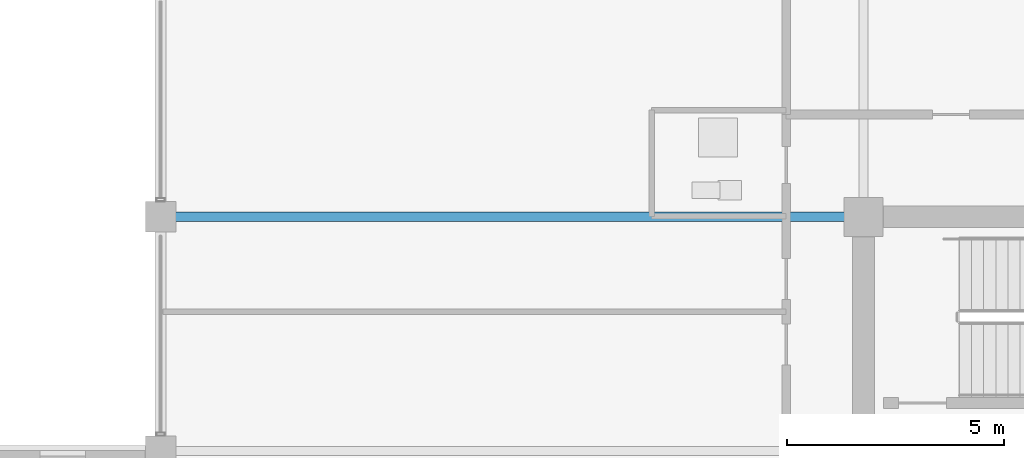
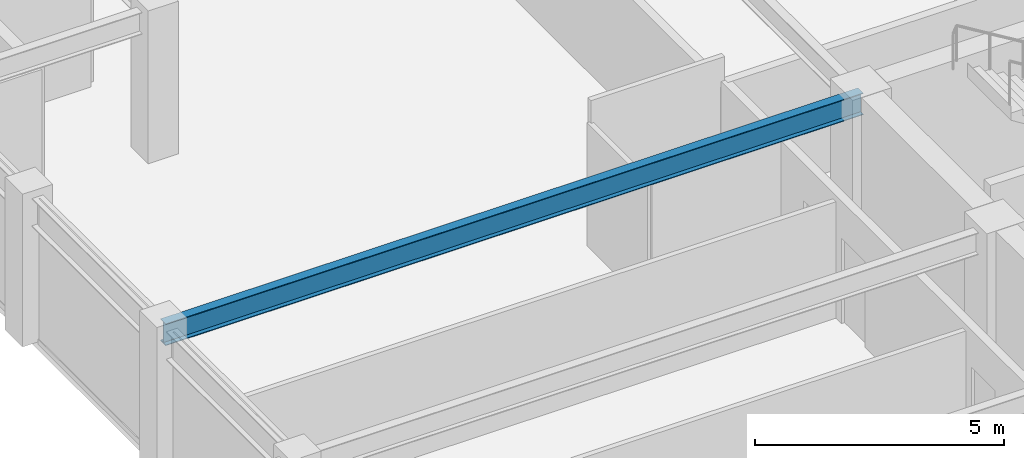
# One storey, part 14 of 31: 1 beam.
"""IFC4 building model written with IfcOpenShell, lengths in metres."""

from ifc_helpers import new_model, si_unit, direction, frame, origin, origin_2d, place, context, subcontext, project, spatial, i_section, extrude, material, material_profile, profile_set, type_object, element, save


model = new_model("IFC4")

# Units and contexts
model_context = context("Model", 3, precision=1e-05, world=origin(), true_north=direction((0.0, 1.0)))
body_context = subcontext(model_context, "Body", "Model", "MODEL_VIEW")
ifc_project = project(units=[si_unit("LENGTHUNIT", "METRE"), si_unit("AREAUNIT", "SQUARE_METRE"), si_unit("VOLUMEUNIT", "CUBIC_METRE"), si_unit("PLANEANGLEUNIT", "RADIAN"), si_unit("MASSUNIT", "GRAM", prefix="KILO")], contexts=[model_context])

# Site, building, storey
site_placement = place(None, origin())
site = spatial("IfcSite", under=ifc_project, at=site_placement, CompositionType="ELEMENT")
building_placement = place(site_placement, origin())
building = spatial("IfcBuilding", under=site, at=building_placement, Name="Surkhivell Harbour Commons", CompositionType="ELEMENT")
storey_placement = place(building_placement, frame((0.0, 0.0, 322.5)))
storey = spatial("IfcBuildingStorey", under=building, at=storey_placement, Name="L84", CompositionType="ELEMENT", Elevation=322.5)

# Beam
ifc_material = material(Name="Steel S355", Category="steel")
ifc_material_profile = material_profile(ifc_material, i_section(OverallWidth=0.2099609375, OverallDepth=0.537109375, WebThickness=0.0107421875, FlangeThickness=0.017333984375, at=origin_2d()), Name="UB533x210x101")
ifc_profile_set = profile_set([ifc_material_profile], Name="Steel S355")
beam_type = type_object("IfcBeamType", Name="BM-GRD-533B", PredefinedType="BEAM", material=ifc_profile_set)
beam_placement = place(storey_placement, frame((-27.0, 10.800048828125, 3.301513671875), z_axis=(1.0, 0.0, 0.0), x_axis=(0.0, 1.0, 0.0)))
element("IfcBeam", 1, at=beam_placement, inside=storey, type_object=beam_type, Name="L84 Floor Girder (-27.0,10.8)", PredefinedType="BEAM", context=body_context, shape_type="SweptSolid", body=[
    extrude(i_section(OverallWidth=0.2099609375, OverallDepth=0.537109375, WebThickness=0.0107421875, FlangeThickness=0.017333984375, at=origin_2d()), origin(), (0.0, 0.0, 1.0), 16.199951171875),
])

save(model, "model.ifc")
